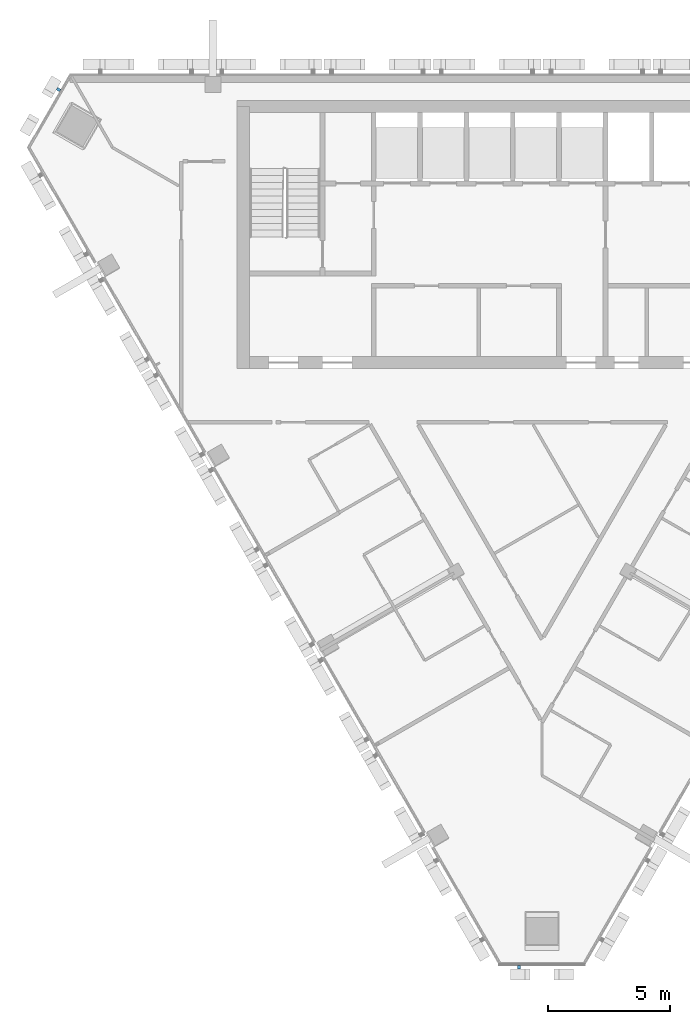
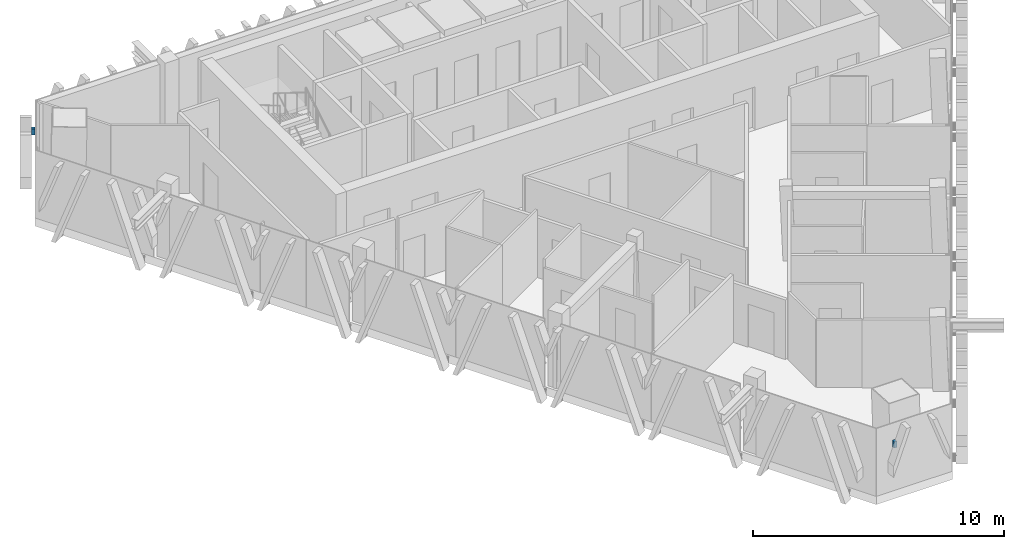
# One storey, part 9 of 12: 2 discrete accessories.
"""IFC4 building model written with IfcOpenShell, lengths in metres."""

from ifc_helpers import new_model, si_unit, direction, frame, origin, place, context, subcontext, project, spatial, polyline, outline, extrude, source, transform, mapped, material, type_object, element, save


model = new_model("IFC4")

# Units and contexts
model_context = context("Model", 3, precision=1e-05, world=origin(), true_north=direction((0.0, 1.0)))
body_context = subcontext(model_context, "Body", "Model", "MODEL_VIEW")
ifc_project = project(units=[si_unit("LENGTHUNIT", "METRE"), si_unit("AREAUNIT", "SQUARE_METRE"), si_unit("VOLUMEUNIT", "CUBIC_METRE"), si_unit("PLANEANGLEUNIT", "RADIAN"), si_unit("MASSUNIT", "GRAM", prefix="KILO")], contexts=[model_context])

# Site, building, storey
site_placement = place(None, origin())
site = spatial("IfcSite", under=ifc_project, at=site_placement, CompositionType="ELEMENT")
building_placement = place(site_placement, origin())
building = spatial("IfcBuilding", under=site, at=building_placement, Name="Altiplano Prism Tower", CompositionType="ELEMENT")
storey_placement = place(building_placement, frame((0.0, 0.0, 331.0)))
storey = spatial("IfcBuildingStorey", under=building, at=storey_placement, Name="L86", CompositionType="ELEMENT", Elevation=331.0)

# Discrete accessories
ifc_material = material(Name="Stainless steel", Category="steel")
discrete_accessory_type = type_object("IfcDiscreteAccessoryType", Name="Stone fin fixing prongs", PredefinedType="USERDEFINED", material=ifc_material)
shared_shape = source(origin(), body_context, "Body", "SweptSolid", [
    extrude(outline(polyline([(-1.012451171875, 2.581787109375), (-0.892333984375, 2.581787109375), (-0.892333984375, 2.8818359375), (-1.012451171875, 2.8818359375), (-1.012451171875, 2.581787109375)])), frame((0.0, 0.0, 0.0), z_axis=(0.0, -1.0, 0.0), x_axis=(1.0, 0.0, 0.0)), (0.0, 0.0, 1.0), 0.14990234375),
])
discrete_accessory_1_placement = place(storey_placement, origin())
element("IfcDiscreteAccessory", 1, at=discrete_accessory_1_placement, inside=storey, type_object=discrete_accessory_type, Name="Fin fixings L86 north-west chamfer", ObjectType="BRACKET", PredefinedType="USERDEFINED", context=body_context, shape_type="MappedRepresentation", body=[
    mapped(shared_shape, transform((64.761474609375, 103.484375, -0.39990234375), x_axis=(-0.499999989809, -0.866025409668, 0.0), y_axis=(0.866025409668, -0.499999989809, 0.0), z_axis=(0.0, 0.0, 1.0))),
])
discrete_accessory_2_placement = place(storey_placement, origin())
element("IfcDiscreteAccessory", 2, at=discrete_accessory_2_placement, inside=storey, type_object=discrete_accessory_type, Name="Fin fixings L86 south chamfer", ObjectType="BRACKET", PredefinedType="USERDEFINED", context=body_context, shape_type="MappedRepresentation", body=[
    mapped(shared_shape, transform((85.0, 68.43017578125, -0.39990234375), x_axis=(1.0, 0.0, 0.0), y_axis=(0.0, 1.0, 0.0), z_axis=(0.0, 0.0, 1.0))),
])

save(model, "model.ifc")
